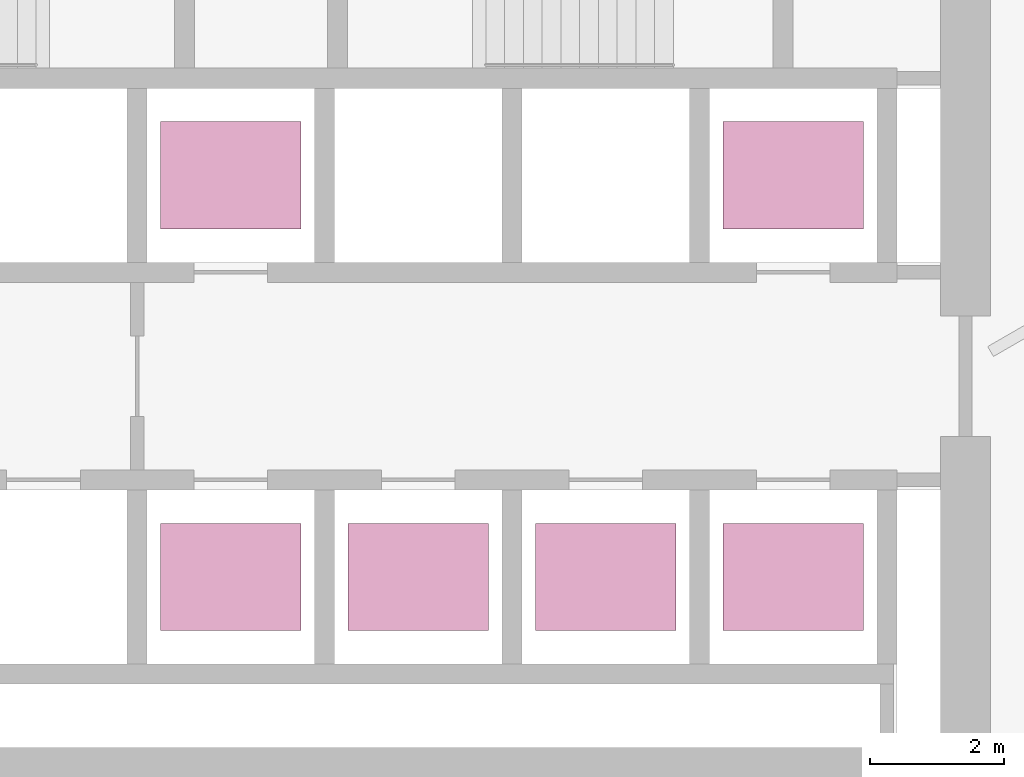
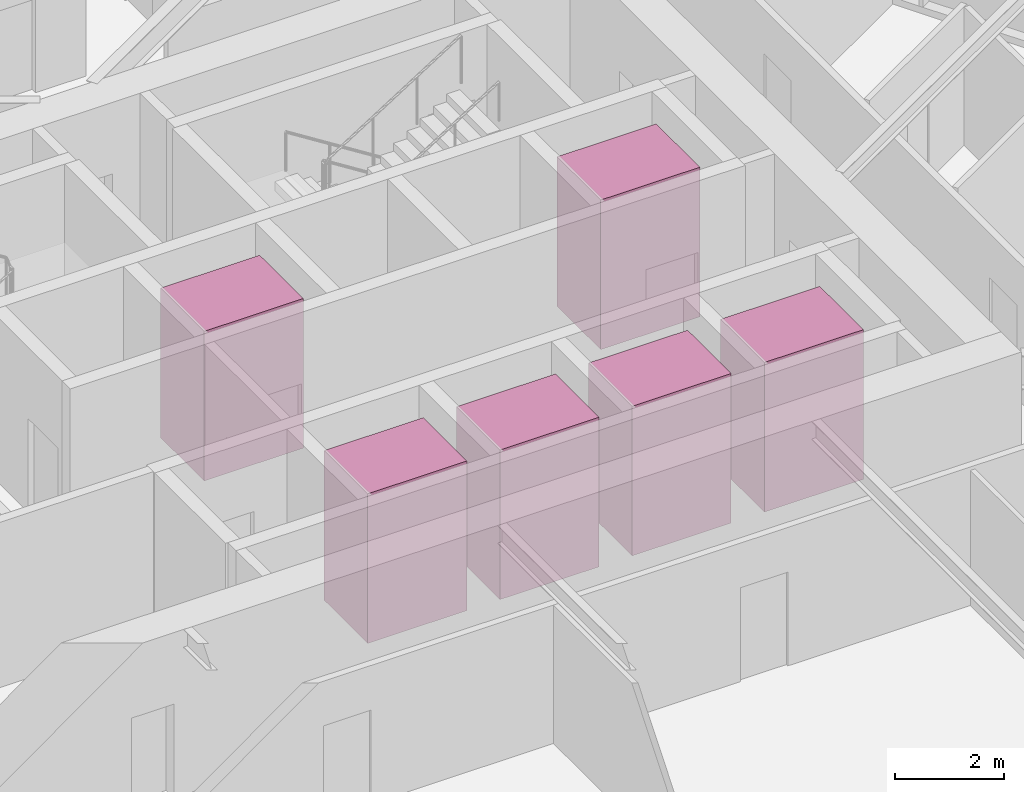
# One storey, part 20 of 21: 6 transport elements.
"""IFC4 building model written with IfcOpenShell, lengths in metres."""

import ifcopenshell
import ifcopenshell.guid

model = None  # the IFC model being written
_history = None  # IfcOwnerHistory: only IFC2X3 demands one
_inside = {}  # id of a spatial element -> (the spatial element, [elements in it])
_under = {}  # id of a project, library or spatial element -> (it, [spatial elements below it])
_declared = {}  # id of a project -> (the project, [libraries it declares])
_typed = {}  # id of a type object -> (the type object, [elements of that type])
_made_of = {}  # id of a material, layer set ... -> (it, [elements and type objects made of it])


def new_model(schema):
    """Start an empty IFC model of exactly this schema.

    Asked for "IFC4X3", IfcOpenShell would pick the latest addendum, in which some entities
    have other attributes; the version numbers below select the first issue.
    IFC2X3 requires an IfcOwnerHistory on every rooted entity: one is made here for all.
    """
    global model, _history
    if schema == "IFC4X3":
        model = ifcopenshell.file(schema_version=(4, 3, 0, 0))
    else:
        model = ifcopenshell.file(schema=schema)
    _inside.clear()
    _under.clear()
    _declared.clear()
    _typed.clear()
    _made_of.clear()
    _history = None
    if model.schema == "IFC2X3":
        org = make("IfcOrganization", Name="unknown")
        user = make(
            "IfcPersonAndOrganization",
            ThePerson=make("IfcPerson", FamilyName="unknown"),
            TheOrganization=org,
        )
        app = make(
            "IfcApplication",
            ApplicationDeveloper=org,
            Version="unknown",
            ApplicationFullName="unknown",
            ApplicationIdentifier="unknown",
        )
        _history = make(
            "IfcOwnerHistory",
            OwningUser=user,
            OwningApplication=app,
            ChangeAction="ADDED",
            CreationDate=0,
        )
    return model


def make(cls, **values):
    """One entity of the class cls with the attributes given. An attribute that is None is left unset."""
    return model.create_entity(
        cls, **{name: value for name, value in values.items() if value is not None}
    )


def rooted(cls, **values):
    """An entity with a GlobalId (a new one), such as an element, a storey or a relation."""
    return make(cls, GlobalId=ifcopenshell.guid.new(), OwnerHistory=_history, **values)


def si_unit(unit_type, name, prefix=None):
    """IfcSIUnit, for example si_unit("LENGTHUNIT", "METRE", prefix="MILLI")."""
    return make("IfcSIUnit", UnitType=unit_type, Prefix=prefix, Name=name)


def assignment(units):
    """IfcUnitAssignment: the units of a project."""
    return None if units is None else make("IfcUnitAssignment", Units=units)


def point(xyz):
    """IfcCartesianPoint."""
    return None if xyz is None else make("IfcCartesianPoint", Coordinates=xyz)


def direction(xyz):
    """IfcDirection."""
    return None if xyz is None else make("IfcDirection", DirectionRatios=xyz)


def frame(location, z_axis=None, x_axis=None):
    """IfcAxis2Placement3D, a coordinate frame: its origin and axes. An axis left out is left unset."""
    return make(
        "IfcAxis2Placement3D",
        Location=point(location),
        Axis=direction(z_axis),
        RefDirection=direction(x_axis),
    )


def frame_2d(location, x_axis=None):
    """IfcAxis2Placement2D, a coordinate frame in the plane: its origin and x axis."""
    return make(
        "IfcAxis2Placement2D", Location=point(location), RefDirection=direction(x_axis)
    )


def origin():
    """The frame at (0, 0, 0) with its axes left unset."""
    return frame((0.0, 0.0, 0.0))


def origin_2d():
    """The frame at (0, 0) in the plane with its x axis left unset."""
    return frame_2d((0.0, 0.0))


def place(relative_to, where):
    """IfcLocalPlacement: puts the frame where relative to a parent placement (None: the world)."""
    return make(
        "IfcLocalPlacement", PlacementRelTo=relative_to, RelativePlacement=where
    )


def context(
    kind, dimensions, precision=None, world=None, true_north=None, identifier=None
):
    """IfcGeometricRepresentationContext, for example the 3D "Model" context."""
    return make(
        "IfcGeometricRepresentationContext",
        ContextIdentifier=identifier,
        ContextType=kind,
        CoordinateSpaceDimension=dimensions,
        Precision=precision,
        WorldCoordinateSystem=world,
        TrueNorth=true_north,
    )


def subcontext(parent, identifier, kind, view, scale=None):
    """IfcGeometricRepresentationSubContext, for example "Body" below "Model"."""
    return make(
        "IfcGeometricRepresentationSubContext",
        ContextIdentifier=identifier,
        ContextType=kind,
        ParentContext=parent,
        TargetScale=scale,
        TargetView=view,
    )


def project(units=None, contexts=None):
    """IfcProject with its units and contexts."""
    return rooted(
        "IfcProject",
        Name="project",
        RepresentationContexts=contexts,
        UnitsInContext=assignment(units),
    )


def spatial(cls, under=None, at=None, **own):
    """A site, building, storey or space (cls), placed at a placement, below another one or the project."""
    s = rooted(cls, ObjectPlacement=at, **own)
    if under is not None:
        _under.setdefault(under.id(), (under, []))[1].append(s)
    return s


def profile(cls, at=None, kind="AREA", **sizes):
    """A parametric profile (cls). Its sizes go by their IFC names, for example OverallWidth=200.0."""
    return make(cls, ProfileType=kind, Position=at, **sizes)


def rectangle(**sizes):
    """IfcRectangleProfileDef."""
    return profile("IfcRectangleProfileDef", **sizes)


def extrude(swept, where, along, depth):
    """IfcExtrudedAreaSolid: the profile swept, set in the frame where, extruded along a direction by depth."""
    return make(
        "IfcExtrudedAreaSolid",
        SweptArea=swept,
        Position=where,
        ExtrudedDirection=direction(along),
        Depth=depth,
    )


def shape(context_of_items, identifier, shape_type, items):
    """IfcShapeRepresentation: the items that make up one representation, for example the "Body"."""
    return make(
        "IfcShapeRepresentation",
        ContextOfItems=context_of_items,
        RepresentationIdentifier=identifier,
        RepresentationType=shape_type,
        Items=items,
    )


def material(Name=None, Category=None):
    """IfcMaterial."""
    return make("IfcMaterial", Name=Name, Category=Category)


def made_of(thing, what):
    """Note that an element or type object is made of a material, layer set ...; save() writes the relation."""
    if what is not None:
        _made_of.setdefault(what.id(), (what, []))[1].append(thing)
    return thing


def type_object(cls, material=None, **own):
    """A type object (cls), such as IfcWallType, which elements share."""
    return made_of(rooted(cls, **own), material)


def element(
    cls,
    number,
    at=None,
    inside=None,
    cuts=None,
    type_object=None,
    material=None,
    context=None,
    identifier="Body",
    shape_type=None,
    held_by="IfcProductDefinitionShape",
    body=None,
    shapes=None,
    **own,
):
    """One element of the class cls, such as IfcWall. Its Tag is "e" and its number.

    at: its placement. inside: the storey or other place that contains it. cuts: it is an
    opening in that element (IfcRelVoidsElement). A single representation is given by context,
    identifier, shape_type and body (its items); several are given by shapes. held_by: the class
    of the entity that holds the representations. save() writes the other relations.
    """
    e = rooted(cls, Tag="e%d" % number, ObjectPlacement=at, **own)
    if body is not None:
        shapes = [shape(context, identifier, shape_type, body)]
    if shapes is not None:
        e.Representation = make(held_by, Representations=shapes)
    if inside is not None:
        _inside.setdefault(inside.id(), (inside, []))[1].append(e)
    if cuts is not None:
        rooted(
            "IfcRelVoidsElement", RelatingBuildingElement=cuts, RelatedOpeningElement=e
        )
    if type_object is not None:
        _typed.setdefault(type_object.id(), (type_object, []))[1].append(e)
    return made_of(e, material)


def aggregate(whole, parts):
    """IfcRelAggregates: a whole, such as a stair, and the parts it consists of."""
    return rooted("IfcRelAggregates", RelatingObject=whole, RelatedObjects=parts)


def save(model, path):
    """Write the relations noted so far, then the file.

    IfcRelAggregates (storeys below a building ...), IfcRelContainedInSpatialStructure (elements
    in a storey), IfcRelDefinesByType, IfcRelAssociatesMaterial and IfcRelDeclares: one each for
    every whole, place, type object, material and project.
    """
    for whole, parts in _under.values():
        aggregate(whole, parts)
    for where, things in _inside.values():
        rooted(
            "IfcRelContainedInSpatialStructure",
            RelatedElements=things,
            RelatingStructure=where,
        )
    for kind, things in _typed.values():
        rooted("IfcRelDefinesByType", RelatedObjects=things, RelatingType=kind)
    for what, things in _made_of.values():
        rooted("IfcRelAssociatesMaterial", RelatedObjects=things, RelatingMaterial=what)
    for by, libraries in _declared.values():
        rooted("IfcRelDeclares", RelatingContext=by, RelatedDefinitions=libraries)
    model.write(path)


model = new_model("IFC4")

# Units and contexts
model_context = context("Model", 3, precision=1e-05, world=origin(), true_north=direction((0.0, 1.0)))
body_context = subcontext(model_context, "Body", "Model", "MODEL_VIEW")
ifc_project = project(units=[si_unit("LENGTHUNIT", "METRE"), si_unit("AREAUNIT", "SQUARE_METRE"), si_unit("VOLUMEUNIT", "CUBIC_METRE"), si_unit("PLANEANGLEUNIT", "RADIAN"), si_unit("MASSUNIT", "GRAM", prefix="KILO")], contexts=[model_context])

# Site, building, storey
site_placement = place(None, origin())
site = spatial("IfcSite", under=ifc_project, at=site_placement, CompositionType="ELEMENT")
building_placement = place(site_placement, origin())
building = spatial("IfcBuilding", under=site, at=building_placement, Name="Firuza Gate Tower and Library", CompositionType="ELEMENT")
storey_placement = place(building_placement, frame((0.0, 0.0, 222.10009765625)))
storey = spatial("IfcBuildingStorey", under=building, at=storey_placement, Name="L52", CompositionType="ELEMENT", Elevation=222.10009765625)

# Transport elements
ifc_material = material(Name="Stainless steel and glass", Category="steel")
transport_element_type = type_object("IfcTransportElementType", Name="Mid-rise lift car 2100x1600", PredefinedType="ELEVATOR", material=ifc_material)
for number, where, z_axis, x_axis, name in (
    (1, (74.64990234375, 70.300048828125, -0.000244140625), (0.0, 0.0, 1.0), (1.0, 0.0, 0.0), "Mid-rise lift MR1"),
    (2, (77.449951171875, 70.300048828125, -0.000244140625), (0.0, 0.0, 1.0), (1.0, 0.0, 0.0), "Mid-rise lift MR2"),
    (3, (80.25, 70.300048828125, -0.000244140625), (0.0, 0.0, 1.0), (1.0, 0.0, 0.0), "Mid-rise lift MR3"),
    (4, (74.64990234375, 76.300048828125, -0.000244140625), (0.0, 0.0, 1.0), (1.0, 0.0, 0.0), "Mid-rise lift MR4"),
    (5, (83.050048828125, 70.300048828125, -0.000244140625), (0.0, 0.0, 1.0), (1.0, 0.0, 0.0), "Mid-rise lift MR5"),
    (6, (83.050048828125, 76.300048828125, -0.000244140625), (0.0, 0.0, 1.0), (1.0, 0.0, 0.0), "Mid-rise lift MR6"),
):
    element("IfcTransportElement", number, at=place(storey_placement, frame(where, z_axis=z_axis, x_axis=x_axis)), inside=storey, type_object=transport_element_type, Name=name, PredefinedType="ELEVATOR", context=body_context, shape_type="SweptSolid", body=[
        extrude(rectangle(XDim=2.10009765625, YDim=1.60009765625, at=origin_2d()), origin(), (0.0, 0.0, 1.0), 3.35009765625),
    ])

save(model, "model.ifc")
